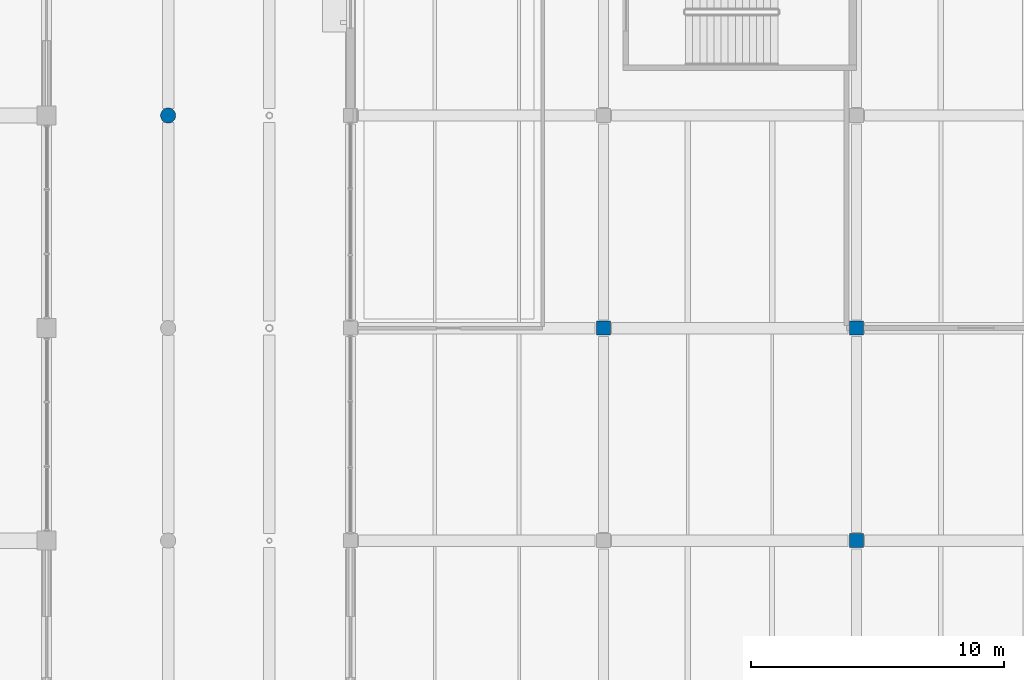
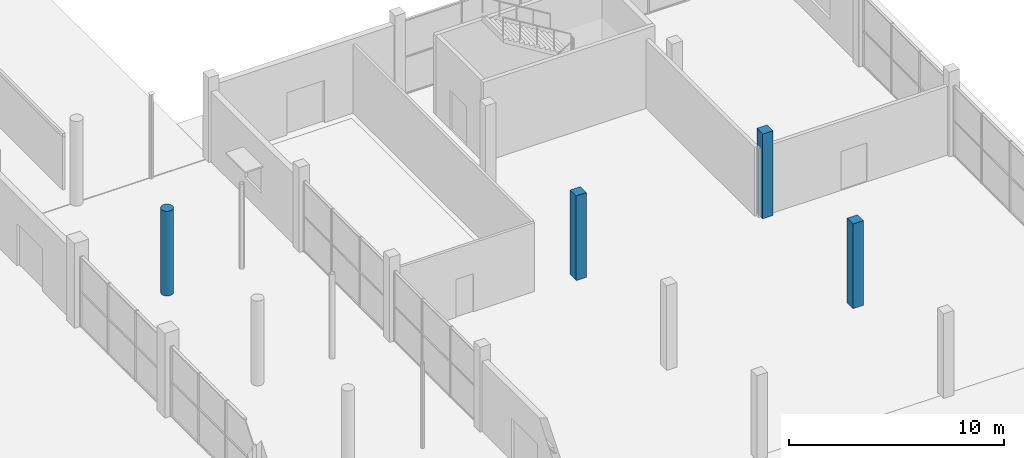
# One storey, part 9 of 130: 4 columns.
"""IFC4 building model written with IfcOpenShell, lengths in metres."""

from ifc_helpers import new_model, si_unit, direction, frame, origin, origin_2d, place, context, subcontext, project, spatial, rectangle, circle, extrude, material, material_profile, profile_set, type_object, element, save


model = new_model("IFC4")

# Units and contexts
model_context = context("Model", 3, precision=1e-05, world=origin(), true_north=direction((0.0, 1.0)))
body_context = subcontext(model_context, "Body", "Model", "MODEL_VIEW")
ifc_project = project(units=[si_unit("LENGTHUNIT", "METRE"), si_unit("AREAUNIT", "SQUARE_METRE"), si_unit("VOLUMEUNIT", "CUBIC_METRE"), si_unit("PLANEANGLEUNIT", "RADIAN"), si_unit("MASSUNIT", "GRAM", prefix="KILO"), si_unit("THERMODYNAMICTEMPERATUREUNIT", "KELVIN")], contexts=[model_context])

# Site, building, storey
site_placement = place(None, origin())
site = spatial("IfcSite", under=ifc_project, at=site_placement, CompositionType="ELEMENT")
building_placement = place(site_placement, origin())
building = spatial("IfcBuilding", under=site, at=building_placement, Name="Nduvali Passage Aquatics Centre", CompositionType="ELEMENT")
storey_placement = place(building_placement, origin())
storey = spatial("IfcBuildingStorey", under=building, at=storey_placement, Name="L00", CompositionType="ELEMENT", Elevation=0.0)

# Columns
ifc_material = material(Name="Concrete C40/50", Category="concrete")
ifc_material_profile_1 = material_profile(ifc_material, rectangle(XDim=0.550048828125, YDim=0.550048828125, at=origin_2d()), Name="RC 550x550")
ifc_profile_set_1 = profile_set([ifc_material_profile_1], Name="Concrete C40/50")
column_type_1 = type_object("IfcColumnType", Name="STR-COL-RC550", PredefinedType="COLUMN", material=ifc_profile_set_1)
for number, where, z_axis, x_axis, name in (
    (1, (148.0, 75.60009765625, 0.0), (0.0, 0.0, 1.0), (1.0, 0.0, 0.0), "L00 Column C4 (148.0, 75.6)"),
    (2, (158.0, 67.199951171875, 0.0), (0.0, 0.0, 1.0), (1.0, 0.0, 0.0), "L00 Column C4 (158.0, 67.2)"),
    (3, (158.0, 75.60009765625, 0.0), (0.0, 0.0, 1.0), (1.0, 0.0, 0.0), "L00 Column C4 (158.0, 75.6)"),
):
    element("IfcColumn", number, at=place(storey_placement, frame(where, z_axis=z_axis, x_axis=x_axis)), inside=storey, type_object=column_type_1, Name=name, PredefinedType="COLUMN", context=body_context, shape_type="SweptSolid", body=[
        extrude(rectangle(XDim=0.550048828125, YDim=0.550048828125, at=origin_2d()), origin(), (0.0, 0.0, 1.0), 4.800048828125),
    ])
ifc_material_profile_2 = material_profile(ifc_material, circle(Radius=0.300048828125, at=origin_2d()), Name="RC D600")
ifc_profile_set_2 = profile_set([ifc_material_profile_2], Name="Concrete C40/50")
column_type_2 = type_object("IfcColumnType", Name="STR-PIL-D600-EXT", PredefinedType="PILASTER", material=ifc_profile_set_2)
column_placement = place(storey_placement, frame((130.800048828125, 84.0, 0.0), z_axis=(0.0, 0.0, 1.0), x_axis=(1.0, 0.0, 0.0)))
element("IfcColumn", 4, at=column_placement, inside=storey, type_object=column_type_2, Name="L00 Column CP1E (130.8, 84.0)", PredefinedType="PILASTER", context=body_context, shape_type="SweptSolid", body=[
    extrude(circle(Radius=0.300048828125, at=origin_2d()), origin(), (0.0, 0.0, 1.0), 4.800048828125),
])

save(model, "model.ifc")
